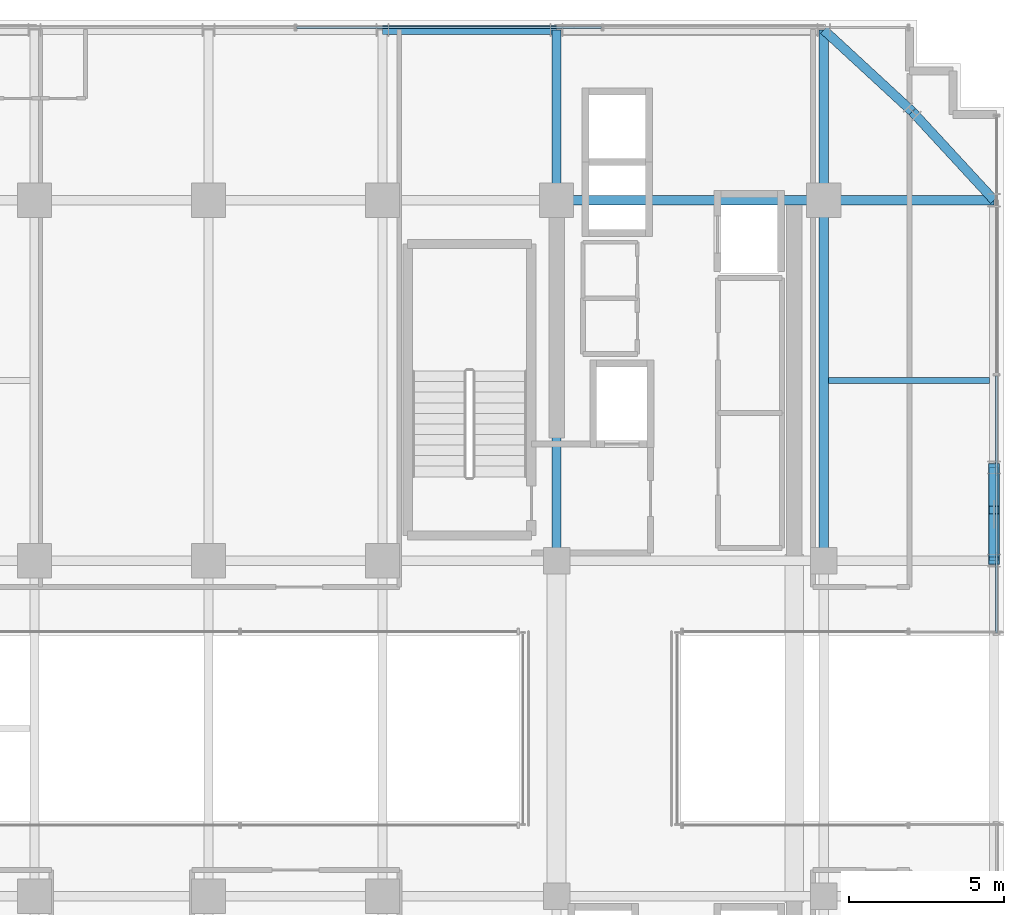
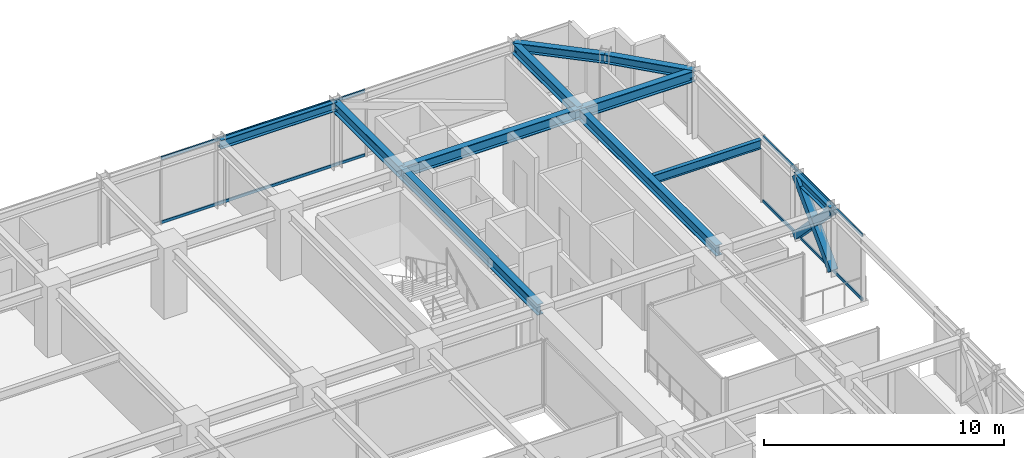
# One storey, part 24 of 35: 11 beams, 7 members, 2 elements without a shape of their own.
"""IFC4 building model written with IfcOpenShell, lengths in metres."""

from ifc_helpers import new_model, si_unit, direction, frame, origin, origin_2d, place, context, subcontext, project, spatial, hollow_rectangle, i_section, extrude, source, transform, mapped, material, material_profile, profile_set, type_object, element, aggregate, save


model = new_model("IFC4")

# Units and contexts
model_context = context("Model", 3, precision=1e-05, world=origin(), true_north=direction((0.0, 1.0)))
body_context = subcontext(model_context, "Body", "Model", "MODEL_VIEW")
ifc_project = project(units=[si_unit("LENGTHUNIT", "METRE"), si_unit("AREAUNIT", "SQUARE_METRE"), si_unit("VOLUMEUNIT", "CUBIC_METRE"), si_unit("PLANEANGLEUNIT", "RADIAN"), si_unit("MASSUNIT", "GRAM", prefix="KILO")], contexts=[model_context])

# Site, building, storey
site_placement = place(None, origin())
site = spatial("IfcSite", under=ifc_project, at=site_placement, CompositionType="ELEMENT")
building_placement = place(site_placement, origin())
building = spatial("IfcBuilding", under=site, at=building_placement, Name="Nahalor Promenade Grand Hotel", CompositionType="ELEMENT")
storey_placement = place(building_placement, frame((0.0, 0.0, 185.5)))
storey = spatial("IfcBuildingStorey", under=building, at=storey_placement, Name="L47", CompositionType="ELEMENT", Elevation=185.5)

# Beams
ifc_material_1 = material(Name="Steel S355JR", Category="steel")
ifc_material_profile_1 = material_profile(ifc_material_1, i_section(OverallWidth=0.3, OverallDepth=0.55, WebThickness=0.015, FlangeThickness=0.029, at=origin_2d()), Name="HEB 550")
ifc_profile_set_1 = profile_set([ifc_material_profile_1], Name="Steel S355JR")
beam_type_1 = type_object("IfcBeamType", Name="Beam-Girder-HEB550", PredefinedType="BEAM", material=ifc_profile_set_1)
shared_shape_1 = source(origin(), body_context, "Body", "SweptSolid", [
    extrude(i_section(OverallWidth=0.3, OverallDepth=0.55, WebThickness=0.015, FlangeThickness=0.029, at=origin_2d()), origin(), (0.0, 0.0, 1.0), 8.60009765625),
])
beam_1_placement = place(storey_placement, frame((8.39990234375, 17.0, 3.114990234375), z_axis=(1.0, 0.0, 0.0), x_axis=(0.0, 1.0, 0.0)))
element("IfcBeam", 1, at=beam_1_placement, inside=storey, type_object=beam_type_1, Name="BM-L47-GX-3-5", PredefinedType="BEAM", context=body_context, shape_type="MappedRepresentation", body=[
    mapped(shared_shape_1, transform((0.0, 0.0, 0.0), scale=1.0)),
])
shared_shape_2 = source(origin(), body_context, "Body", "SweptSolid", [
    extrude(i_section(OverallWidth=0.3, OverallDepth=0.55, WebThickness=0.015, FlangeThickness=0.029, at=origin_2d()), origin(), (0.0, 0.0, 1.0), 11.60009765625),
])
for number, where, z_axis, x_axis, name in (
    (2, (8.39990234375, 5.39990234375, 3.114990234375), (0.0, 1.0, 0.0), (-1.0, 0.0, 0.0), "BM-L47-GY-4-3"),
    (3, (17.0, 5.39990234375, 3.114990234375), (0.0, 1.0, 0.0), (-1.0, 0.0, 0.0), "BM-L47-GY-5-3"),
):
    element("IfcBeam", number, at=place(storey_placement, frame(where, z_axis=z_axis, x_axis=x_axis)), inside=storey, type_object=beam_type_1, Name=name, PredefinedType="BEAM", context=body_context, shape_type="MappedRepresentation", body=[
        mapped(shared_shape_2, transform((0.0, 0.0, 0.0), scale=1.0)),
    ])
shared_shape_3 = source(origin(), body_context, "Body", "SweptSolid", [
    extrude(i_section(OverallWidth=0.3, OverallDepth=0.55, WebThickness=0.015, FlangeThickness=0.029, at=origin_2d()), origin(), (0.0, 0.0, 1.0), 5.47998046875),
])
for number, where, z_axis, x_axis, name in (
    (4, (17.0, 17.0, 3.114990234375), (1.0, 0.0, 0.0), (0.0, 1.0, 0.0), "BM-L47-GX-3-6"),
    (5, (8.39990234375, 17.0, 3.114990234375), (0.0, 1.0, 0.0), (-1.0, 0.0, 0.0), "BM-L47-GY-4-4"),
    (6, (17.0, 17.0, 3.114990234375), (0.0, 1.0, 0.0), (-1.0, 0.0, 0.0), "BM-L47-GY-5-4"),
):
    element("IfcBeam", number, at=place(storey_placement, frame(where, z_axis=z_axis, x_axis=x_axis)), inside=storey, type_object=beam_type_1, Name=name, PredefinedType="BEAM", context=body_context, shape_type="MappedRepresentation", body=[
        mapped(shared_shape_3, transform((0.0, 0.0, 0.0), scale=1.0)),
    ])
ifc_material_profile_2 = material_profile(ifc_material_1, i_section(OverallWidth=0.19, OverallDepth=0.45, WebThickness=0.0094, FlangeThickness=0.0146, at=origin_2d()), Name="IPE 450")
ifc_profile_set_2 = profile_set([ifc_material_profile_2], Name="Steel S355JR")
beam_type_2 = type_object("IfcBeamType", Name="Beam-Joist-IPE450", PredefinedType="JOIST", material=ifc_profile_set_2)
shared_shape_4 = source(origin(), body_context, "Body", "SweptSolid", [
    extrude(i_section(OverallWidth=0.19, OverallDepth=0.45, WebThickness=0.0094, FlangeThickness=0.0146, at=origin_2d()), origin(), (0.0, 0.0, 1.0), 5.18017578125),
])
beam_2_placement = place(storey_placement, frame((17.14990234375, 11.199951171875, 3.1650390625), z_axis=(1.0, 0.0, 0.0), x_axis=(0.0, 1.0, 0.0)))
element("IfcBeam", 7, at=beam_2_placement, inside=storey, type_object=beam_type_2, Name="BM-L47-JSE-1-2", PredefinedType="JOIST", context=body_context, shape_type="MappedRepresentation", body=[
    mapped(shared_shape_4, transform((0.0, 0.0, 0.0), scale=1.0)),
])
ifc_material_profile_3 = material_profile(ifc_material_1, i_section(OverallWidth=0.3, OverallDepth=0.45, WebThickness=0.014, FlangeThickness=0.026, at=origin_2d()), Name="HEB 450")
ifc_profile_set_3 = profile_set([ifc_material_profile_3], Name="Steel S355JR")
beam_type_3 = type_object("IfcBeamType", Name="Beam-Spandrel-HEB450", PredefinedType="SPANDREL", material=ifc_profile_set_3)
shared_shape_5 = source(origin(), body_context, "Body", "SweptSolid", [
    extrude(i_section(OverallWidth=0.3, OverallDepth=0.45, WebThickness=0.014, FlangeThickness=0.026, at=origin_2d()), origin(), (0.0, 0.0, 1.0), 5.599853515625),
])
beam_3_placement = place(storey_placement, frame((2.800048828125, 22.47998046875, 3.1650390625), z_axis=(1.0, 0.0, 0.0), x_axis=(0.0, 1.0, 0.0)))
element("IfcBeam", 8, at=beam_3_placement, inside=storey, type_object=beam_type_3, Name="BM-L47-SP-N-3", PredefinedType="SPANDREL", context=body_context, shape_type="MappedRepresentation", body=[
    mapped(shared_shape_5, transform((0.0, 0.0, 0.0), scale=1.0)),
])
shared_shape_6 = source(origin(), body_context, "Body", "SweptSolid", [
    extrude(i_section(OverallWidth=0.3, OverallDepth=0.45, WebThickness=0.014, FlangeThickness=0.026, at=origin_2d()), origin(), (0.0, 0.0, 1.0), 3.0),
])
beam_4_placement = place(storey_placement, frame((22.47998046875, 5.39990234375, 3.1650390625), z_axis=(0.0, 1.0, 0.0), x_axis=(-1.0, 0.0, 0.0)))
element("IfcBeam", 9, at=beam_4_placement, inside=storey, type_object=beam_type_3, Name="BM-L47-SP-E-3", PredefinedType="SPANDREL", context=body_context, shape_type="MappedRepresentation", body=[
    mapped(shared_shape_6, transform((0.0, 0.0, 0.0), scale=1.0)),
])
shared_shape_7 = source(origin(), body_context, "Body", "SweptSolid", [
    extrude(i_section(OverallWidth=0.3, OverallDepth=0.45, WebThickness=0.014, FlangeThickness=0.026, at=origin_2d()), origin(), (0.0, 0.0, 1.0), 3.878173828125),
])
for number, where, z_axis, x_axis, name in (
    (10, (17.0, 22.47998046875, 3.1650390625), (0.73492893846, -0.678144125843, 0.0), (0.678144125843, 0.73492893846, 0.0), "BM-L47-SPC-NE-1"),
    (11, (19.85009765625, 19.85009765625, 3.1650390625), (0.678144125843, -0.73492893846, 0.0), (0.73492893846, 0.678144125843, 0.0), "BM-L47-SPC-NE-2"),
):
    element("IfcBeam", number, at=place(storey_placement, frame(where, z_axis=z_axis, x_axis=x_axis)), inside=storey, type_object=beam_type_3, Name=name, PredefinedType="SPANDREL", context=body_context, shape_type="MappedRepresentation", body=[
        mapped(shared_shape_7, transform((0.0, 0.0, 0.0), scale=1.0)),
    ])

# Members
ifc_material_profile_4 = material_profile(ifc_material_1, hollow_rectangle(XDim=0.35, YDim=0.35, WallThickness=0.02, at=origin_2d()), Name="SHS 350x350x20")
ifc_profile_set_4 = profile_set([ifc_material_profile_4], Name="Steel S355JR")
member_type_1 = type_object("IfcMemberType", Name="Mem-VoidBrace-SHS350", PredefinedType="BRACE", material=ifc_profile_set_4)
shared_shape_8 = source(origin(), body_context, "Body", "SweptSolid", [
    extrude(hollow_rectangle(XDim=0.35, YDim=0.35, WallThickness=0.02, at=origin_2d()), origin(), (0.0, 0.0, 1.0), 1.96630859375),
])
member_1_placement = place(storey_placement, frame((22.47998046875, 8.39990234375, 0.14990234375), z_axis=(0.0, -0.696537426897, 0.717520461682), x_axis=(1.0, 0.0, 0.0)))
element("IfcMember", 12, at=member_1_placement, inside=storey, type_object=member_type_1, Name="EXO-L47-VX2-E1A", PredefinedType="BRACE", context=body_context, shape_type="MappedRepresentation", body=[
    mapped(shared_shape_8, transform((0.0, 0.0, 0.0), scale=1.0)),
])
shared_shape_9 = source(origin(), body_context, "Body", "SweptSolid", [
    extrude(hollow_rectangle(XDim=0.35, YDim=0.35, WallThickness=0.02, at=origin_2d()), origin(), (0.0, 0.0, 1.0), 4.306884765625),
])
member_2_placement = place(storey_placement, frame((22.47998046875, 5.39990234375, 0.14990234375), z_axis=(0.0, 0.696570665899, 0.717488193219), x_axis=(-1.0, 0.0, 0.0)))
element("IfcMember", 13, at=member_2_placement, inside=storey, type_object=member_type_1, Name="EXO-L47-VX1-E1", PredefinedType="BRACE", context=body_context, shape_type="MappedRepresentation", body=[
    mapped(shared_shape_9, transform((0.0, 0.0, 0.0), scale=1.0)),
])
shared_shape_10 = source(origin(), body_context, "Body", "SweptSolid", [
    extrude(hollow_rectangle(XDim=0.35, YDim=0.35, WallThickness=0.02, at=origin_2d()), origin(), (0.0, 0.0, 1.0), 1.966552734375),
])
member_3_placement = place(storey_placement, frame((22.47998046875, 6.769775390625, 1.8291015625), z_axis=(0.0, -0.696601340579, 0.71745841155), x_axis=(1.0, 0.0, 0.0)))
element("IfcMember", 14, at=member_3_placement, inside=storey, type_object=member_type_1, Name="EXO-L47-VX2-E1B", PredefinedType="BRACE", context=body_context, shape_type="MappedRepresentation", body=[
    mapped(shared_shape_10, transform((0.0, 0.0, 0.0), scale=1.0)),
])

# Curtain wall, members
ifc_material_2 = material(Name="Anodised Bronze Aluminium EN AW-6063 T6", Category="aluminium")
curtain_wall_type = type_object("IfcCurtainWallType", Name="CW3 Elliptical-Void Collar Unitised Curtain Wall", PredefinedType="USERDEFINED", material=ifc_material_2)
curtain_wall_1_placement = place(storey_placement, origin())
curtain_wall_1 = element("IfcCurtainWall", 15, at=curtain_wall_1_placement, inside=storey, type_object=curtain_wall_type, Name="L47 Curtain Wall CW-L47-N-1", ObjectType="UNITISED_CURTAIN_WALL", PredefinedType="USERDEFINED")
ifc_material_profile_5 = material_profile(ifc_material_2, hollow_rectangle(XDim=0.07, YDim=0.14, WallThickness=0.004, at=origin_2d()), Name="CWT 70x140x4")
ifc_profile_set_5 = profile_set([ifc_material_profile_5], Name="Anodised Bronze Aluminium EN AW-6063 T6")
member_type_2 = type_object("IfcMemberType", Name="CWT3 Void Collar Transom 70x140", PredefinedType="USERDEFINED", material=ifc_profile_set_5)
shared_shape_11 = source(origin(), body_context, "Body", "SweptSolid", [
    extrude(hollow_rectangle(XDim=0.07, YDim=0.14, WallThickness=0.004, at=origin_2d()), origin(), (0.0, 0.0, 1.0), 9.81005859375),
])
member_4_placement = place(storey_placement, frame((0.034912109375, 22.56005859375, 0.070068359375), z_axis=(1.0, 0.0, 0.0), x_axis=(0.0, 1.0, 0.0)))
member_4 = element("IfcMember", 16, at=member_4_placement, type_object=member_type_2, Name="CW-L47-N-1 Transom 2-0", ObjectType="TRANSOM", PredefinedType="USERDEFINED", context=body_context, shape_type="MappedRepresentation", body=[
    mapped(shared_shape_11, transform((0.0, 0.0, 0.0), scale=1.0)),
])
member_5_placement = place(storey_placement, frame((0.034912109375, 22.56005859375, 3.320068359375), z_axis=(1.0, 0.0, 0.0), x_axis=(0.0, 1.0, 0.0)))
member_5 = element("IfcMember", 17, at=member_5_placement, type_object=member_type_2, Name="CW-L47-N-1 Transom 2-1", ObjectType="TRANSOM", PredefinedType="USERDEFINED", context=body_context, shape_type="MappedRepresentation", body=[
    mapped(shared_shape_11, transform((0.0, 0.0, 0.0), scale=1.0)),
])
aggregate(curtain_wall_1, [member_4, member_5])

curtain_wall_2_placement = place(storey_placement, origin())
curtain_wall_2 = element("IfcCurtainWall", 18, at=curtain_wall_2_placement, inside=storey, type_object=curtain_wall_type, Name="L47 Curtain Wall CW-L47-E-2", ObjectType="UNITISED_CURTAIN_WALL", PredefinedType="USERDEFINED")
shared_shape_12 = source(origin(), body_context, "Body", "SweptSolid", [
    extrude(hollow_rectangle(XDim=0.07, YDim=0.14, WallThickness=0.004, at=origin_2d()), origin(), (0.0, 0.0, 1.0), 8.275390625),
])
member_6_placement = place(storey_placement, frame((22.56005859375, 3.069091796875, 0.070068359375), z_axis=(0.0, 1.0, 0.0), x_axis=(-1.0, 0.0, 0.0)))
member_6 = element("IfcMember", 19, at=member_6_placement, type_object=member_type_2, Name="CW-L47-E-2 Transom 0-0", ObjectType="TRANSOM", PredefinedType="USERDEFINED", context=body_context, shape_type="MappedRepresentation", body=[
    mapped(shared_shape_12, transform((0.0, 0.0, 0.0), scale=1.0)),
])
member_7_placement = place(storey_placement, frame((22.56005859375, 3.069091796875, 3.320068359375), z_axis=(0.0, 1.0, 0.0), x_axis=(-1.0, 0.0, 0.0)))
member_7 = element("IfcMember", 20, at=member_7_placement, type_object=member_type_2, Name="CW-L47-E-2 Transom 0-1", ObjectType="TRANSOM", PredefinedType="USERDEFINED", context=body_context, shape_type="MappedRepresentation", body=[
    mapped(shared_shape_12, transform((0.0, 0.0, 0.0), scale=1.0)),
])
aggregate(curtain_wall_2, [member_6, member_7])

save(model, "model.ifc")
